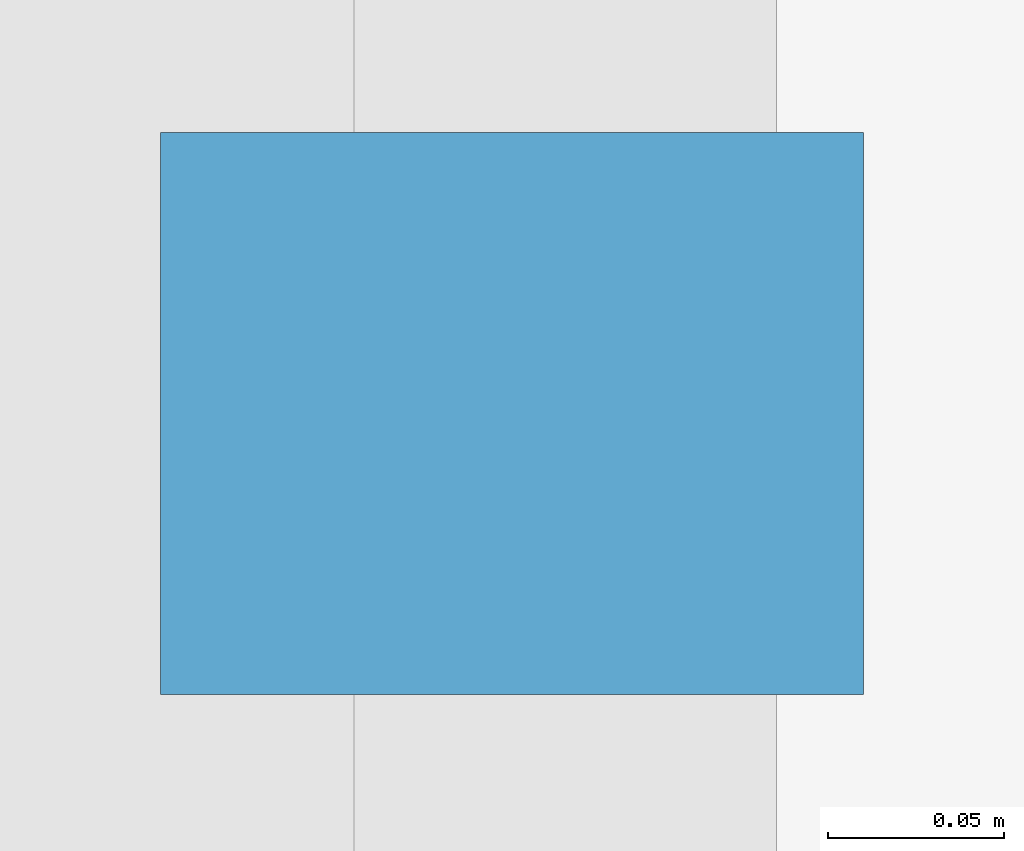
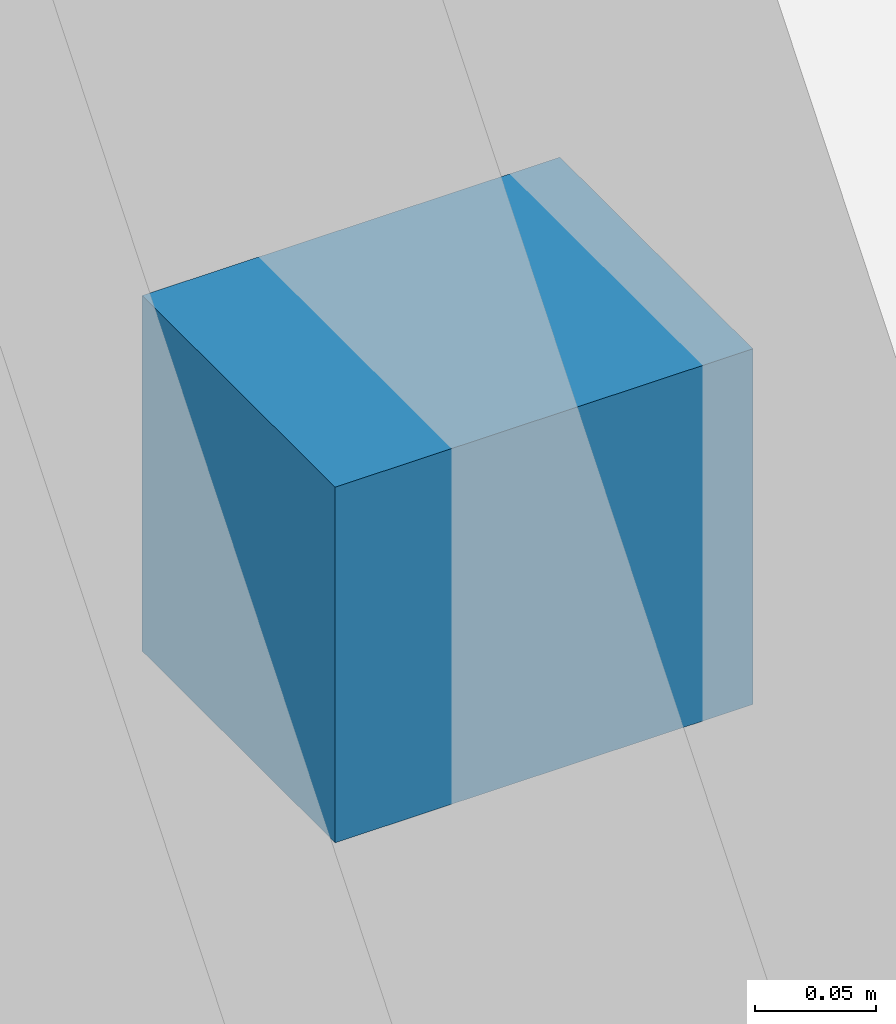
# One storey, part 14 of 18: 1 discrete accessory.
"""IFC4 building model written with IfcOpenShell, lengths in metres."""

from ifc_helpers import new_model, si_unit, direction, frame, origin, origin_2d, place, context, subcontext, project, spatial, rectangle, extrude, material, type_object, element, save


model = new_model("IFC4")

# Units and contexts
model_context = context("Model", 3, precision=1e-05, world=origin(), true_north=direction((0.0, 1.0)))
body_context = subcontext(model_context, "Body", "Model", "MODEL_VIEW")
ifc_project = project(units=[si_unit("LENGTHUNIT", "METRE"), si_unit("AREAUNIT", "SQUARE_METRE"), si_unit("VOLUMEUNIT", "CUBIC_METRE"), si_unit("PLANEANGLEUNIT", "RADIAN"), si_unit("MASSUNIT", "GRAM", prefix="KILO")], contexts=[model_context])

# Site, building, storey
site_placement = place(None, origin())
site = spatial("IfcSite", under=ifc_project, at=site_placement, CompositionType="ELEMENT")
building_placement = place(site_placement, origin())
building = spatial("IfcBuilding", under=site, at=building_placement, Name="Koriwani Terraces Tower", CompositionType="ELEMENT")
storey_placement = place(building_placement, frame((0.0, 0.0, 81.39990234375)))
storey = spatial("IfcBuildingStorey", under=building, at=storey_placement, Name="L19", CompositionType="ELEMENT", Elevation=81.39990234375)

# Discrete accessory
ifc_material = material(Name="Steel ASTM A572 Grade 50", Category="steel")
discrete_accessory_type = type_object("IfcDiscreteAccessoryType", Name="BAGUETTE_STANDOFF_BRACKET", PredefinedType="BRACKET", material=ifc_material)
discrete_accessory_placement = place(storey_placement, frame((0.389892578125, 71.39990234375, 1.68505859375), z_axis=(0.0, 0.0, 1.0), x_axis=(0.0, 1.0, 0.0)))
element("IfcDiscreteAccessory", 1, at=discrete_accessory_placement, inside=storey, type_object=discrete_accessory_type, Name="L19 Terracotta Baguette Bracket (W-24)", PredefinedType="BRACKET", context=body_context, shape_type="SweptSolid", body=[
    extrude(rectangle(XDim=0.159912109375, YDim=0.199951171875, at=origin_2d()), origin(), (0.0, 0.0, 1.0), 0.179931640625),
])

save(model, "model.ifc")
